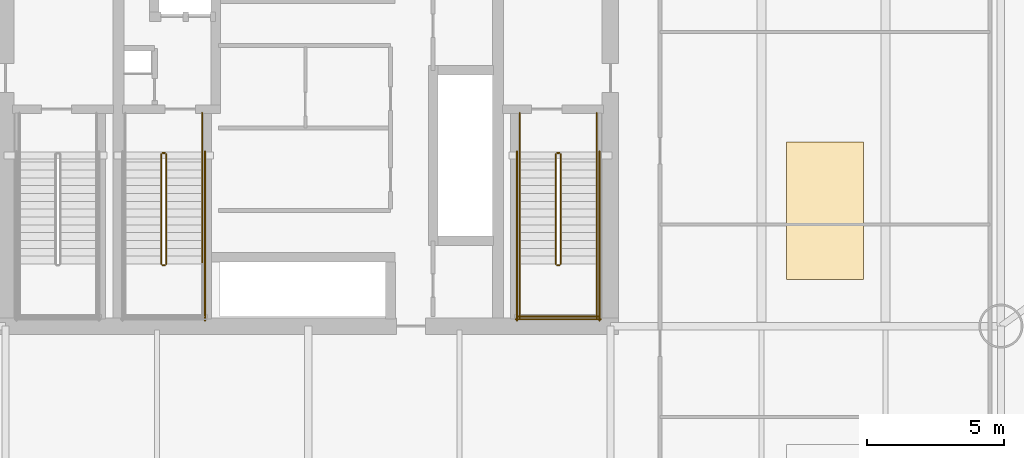
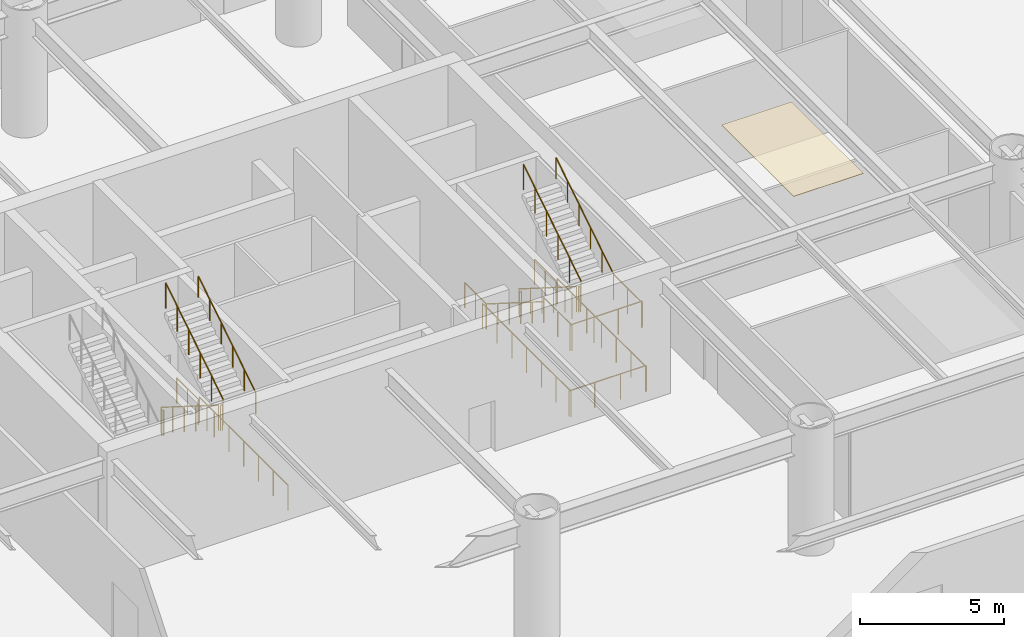
# One storey, part 13 of 16: 21 railings, 1 covering.
"""IFC4 building model written with IfcOpenShell, lengths in metres."""

from ifc_helpers import new_model, si_unit, direction, frame, origin, origin_2d, place, context, subcontext, project, spatial, polyline, circle, outline, extrude, material, layer, layer_set, type_object, element, save


model = new_model("IFC4")

# Units and contexts
model_context = context("Model", 3, precision=1e-05, world=origin(), true_north=direction((0.0, 1.0)))
body_context = subcontext(model_context, "Body", "Model", "MODEL_VIEW")
ifc_project = project(units=[si_unit("LENGTHUNIT", "METRE"), si_unit("AREAUNIT", "SQUARE_METRE"), si_unit("VOLUMEUNIT", "CUBIC_METRE"), si_unit("PLANEANGLEUNIT", "RADIAN"), si_unit("MASSUNIT", "GRAM", prefix="KILO")], contexts=[model_context])

# Site, building, storey
site_placement = place(None, origin())
site = spatial("IfcSite", under=ifc_project, at=site_placement, CompositionType="ELEMENT")
building_placement = place(site_placement, origin())
building = spatial("IfcBuilding", under=site, at=building_placement, Name="Bramvorn Convention Spire", CompositionType="ELEMENT")
storey_placement = place(building_placement, frame((0.0, 0.0, 30.0)))
storey = spatial("IfcBuildingStorey", under=building, at=storey_placement, Name="L05", CompositionType="ELEMENT", Elevation=30.0)

# Covering
ifc_material_1 = material(Name="Micro-Perforated Mineral-Fibre Acoustic Ceiling Tile", Category="gypsum")
ifc_layer = layer(ifc_material_1, 0.02001953125)
ifc_layer_set = layer_set([ifc_layer], Name="Micro-Perforated Mineral-Fibre Acoustic Ceiling Tile - CLG-ACOUSTIC-20")
covering_type = type_object("IfcCoveringType", Name="CLG-ACOUSTIC-20", PredefinedType="CEILING", material=ifc_layer_set)
covering_placement = place(storey_placement, frame((0.0, 0.0, 4.97998046875)))
element("IfcCovering", 1, at=covering_placement, inside=storey, type_object=covering_type, Name="L05 Seminar acoustic tile ceiling 2", PredefinedType="CEILING", context=body_context, shape_type="SweptSolid", body=[
    extrude(outline(polyline([(55.39990234375, 20.5), (58.199951171875, 20.5), (58.199951171875, 25.5), (55.39990234375, 25.5), (55.39990234375, 20.5)])), origin(), (0.0, 0.0, 1.0), 0.02001953125),
])

# Railings
ifc_material_2 = material(Name="Painted Steel Balustrade & Guardrail", Category="steel")
railing_type_1 = type_object("IfcRailingType", Name="RL-STAIR-GUARD-1100", PredefinedType="GUARDRAIL", material=ifc_material_2)
railing_1_placement = place(storey_placement, frame((47.010009765625, 25.050048828125, 0.179931640625)))
element("IfcRailing", 2, at=railing_1_placement, inside=storey, type_object=railing_type_1, Name="L05 ST2 stair guard 1", PredefinedType="GUARDRAIL", context=body_context, shape_type="SweptSolid", body=[
    extrude(circle(Radius=0.02392578125, at=origin_2d()), frame((0.0, 0.0, 1.076171875), z_axis=(0.0, -0.845486444383, 0.533996884227), x_axis=(1.0, 0.0, 0.0)), (0.0, 0.0, 1.0), 4.71923828125),
    extrude(circle(Radius=0.02099609375, at=origin_2d()), origin(), (0.0, 0.0, 1.0), 1.052001953125),
    extrude(circle(Radius=0.02099609375, at=origin_2d()), frame((0.0, -0.798095703125, 0.50390625)), (0.0, 0.0, 1.0), 1.052001953125),
    extrude(circle(Radius=0.02099609375, at=origin_2d()), frame((0.0, -1.595947265625, 1.008056640625)), (0.0, 0.0, 1.0), 1.052001953125),
    extrude(circle(Radius=0.02099609375, at=origin_2d()), frame((0.0, -2.39404296875, 1.511962890625)), (0.0, 0.0, 1.0), 1.052001953125),
    extrude(circle(Radius=0.02099609375, at=origin_2d()), frame((0.0, -3.19189453125, 2.01611328125)), (0.0, 0.0, 1.0), 1.052001953125),
    extrude(circle(Radius=0.02099609375, at=origin_2d()), frame((0.0, -3.989990234375, 2.52001953125)), (0.0, 0.0, 1.0), 1.052001953125),
])
railing_2_placement = place(storey_placement, frame((47.06005859375, 21.010009765625, 2.699951171875)))
element("IfcRailing", 3, at=railing_2_placement, inside=storey, type_object=railing_type_1, Name="L05 ST2 stair guard 2", PredefinedType="GUARDRAIL", context=body_context, shape_type="SweptSolid", body=[
    extrude(circle(Radius=0.02392578125, at=origin_2d()), frame((0.0, 0.0, 1.076171875), z_axis=(1.0, 0.0, 0.0), x_axis=(0.0, 1.0, 0.0)), (0.0, 0.0, 1.0), 0.079833984375),
    extrude(circle(Radius=0.02099609375, at=origin_2d()), origin(), (0.0, 0.0, 1.0), 1.052001953125),
    extrude(circle(Radius=0.02099609375, at=origin_2d()), frame((0.079833984375, 0.0, 0.0)), (0.0, 0.0, 1.0), 1.052001953125),
])
for number, where, name in (
    (4, (45.699951171875, 21.06005859375, 2.699951171875), "L05 ST2 stair guard 3"),
    (5, (48.5, 21.06005859375, 2.699951171875), "L05 ST2 stair guard 4"),
):
    element("IfcRailing", number, at=place(storey_placement, frame(where)), inside=storey, type_object=railing_type_1, Name=name, PredefinedType="GUARDRAIL", context=body_context, shape_type="SweptSolid", body=[
        extrude(circle(Radius=0.02392578125, at=origin_2d()), frame((0.0, 0.0, 1.076171875), z_axis=(0.0, -1.0, 0.0), x_axis=(1.0, 0.0, 0.0)), (0.0, 0.0, 1.0), 1.9599609375),
        extrude(circle(Radius=0.02099609375, at=origin_2d()), origin(), (0.0, 0.0, 1.0), 1.052001953125),
        extrude(circle(Radius=0.02099609375, at=origin_2d()), frame((0.0, -0.97998046875, 0.0)), (0.0, 0.0, 1.0), 1.052001953125),
        extrude(circle(Radius=0.02099609375, at=origin_2d()), frame((0.0, -1.9599609375, 0.0)), (0.0, 0.0, 1.0), 1.052001953125),
    ])
railing_3_placement = place(storey_placement, frame((45.64990234375, 19.14990234375, 2.699951171875)))
element("IfcRailing", 6, at=railing_3_placement, inside=storey, type_object=railing_type_1, Name="L05 ST2 stair guard 5", PredefinedType="GUARDRAIL", context=body_context, shape_type="SweptSolid", body=[
    extrude(circle(Radius=0.02392578125, at=origin_2d()), frame((0.0, 0.0, 1.076171875), z_axis=(1.0, 0.0, 0.0), x_axis=(0.0, 1.0, 0.0)), (0.0, 0.0, 1.0), 2.900146484375),
    extrude(circle(Radius=0.02099609375, at=origin_2d()), origin(), (0.0, 0.0, 1.0), 1.052001953125),
    extrude(circle(Radius=0.02099609375, at=origin_2d()), frame((0.966796875, 0.0, 0.0)), (0.0, 0.0, 1.0), 1.052001953125),
    extrude(circle(Radius=0.02099609375, at=origin_2d()), frame((1.933349609375, 0.0, 0.0)), (0.0, 0.0, 1.0), 1.052001953125),
    extrude(circle(Radius=0.02099609375, at=origin_2d()), frame((2.900146484375, 0.0, 0.0)), (0.0, 0.0, 1.0), 1.052001953125),
])
railing_4_placement = place(storey_placement, frame((47.18994140625, 21.06005859375, 2.8798828125)))
element("IfcRailing", 7, at=railing_4_placement, inside=storey, type_object=railing_type_1, Name="L05 ST2 stair guard 6", PredefinedType="GUARDRAIL", context=body_context, shape_type="SweptSolid", body=[
    extrude(circle(Radius=0.02392578125, at=origin_2d()), frame((0.0, 0.0, 1.076171875), z_axis=(0.0, 0.845486444383, 0.533996884227), x_axis=(-1.0, 0.0, 0.0)), (0.0, 0.0, 1.0), 4.71923828125),
    extrude(circle(Radius=0.02099609375, at=origin_2d()), origin(), (0.0, 0.0, 1.0), 1.052001953125),
    extrude(circle(Radius=0.02099609375, at=origin_2d()), frame((0.0, 0.798095703125, 0.50390625)), (0.0, 0.0, 1.0), 1.052001953125),
    extrude(circle(Radius=0.02099609375, at=origin_2d()), frame((0.0, 1.595947265625, 1.008056640625)), (0.0, 0.0, 1.0), 1.052001953125),
    extrude(circle(Radius=0.02099609375, at=origin_2d()), frame((0.0, 2.39404296875, 1.511962890625)), (0.0, 0.0, 1.0), 1.052001953125),
    extrude(circle(Radius=0.02099609375, at=origin_2d()), frame((0.0, 3.19189453125, 2.01611328125)), (0.0, 0.0, 1.0), 1.052001953125),
    extrude(circle(Radius=0.02099609375, at=origin_2d()), frame((0.0, 3.989990234375, 2.52001953125)), (0.0, 0.0, 1.0), 1.052001953125),
])
railing_5_placement = place(storey_placement, frame((47.06005859375, 25.10009765625, 0.0)))
element("IfcRailing", 8, at=railing_5_placement, inside=storey, type_object=railing_type_1, Name="L05 ST2 stair guard 7", PredefinedType="GUARDRAIL", context=body_context, shape_type="SweptSolid", body=[
    extrude(circle(Radius=0.02392578125, at=origin_2d()), frame((0.0, 0.0, 1.076171875), z_axis=(1.0, 0.0, 0.0), x_axis=(0.0, 1.0, 0.0)), (0.0, 0.0, 1.0), 0.079833984375),
    extrude(circle(Radius=0.02099609375, at=origin_2d()), origin(), (0.0, 0.0, 1.0), 1.052001953125),
    extrude(circle(Radius=0.02099609375, at=origin_2d()), frame((0.079833984375, 0.0, 0.0)), (0.0, 0.0, 1.0), 1.052001953125),
])
for number, where, name in (
    (9, (45.699951171875, 26.550048828125, 0.0), "L05 ST2 stair guard 8"),
    (10, (48.5, 26.550048828125, 0.0), "L05 ST2 stair guard 9"),
):
    element("IfcRailing", number, at=place(storey_placement, frame(where)), inside=storey, type_object=railing_type_1, Name=name, PredefinedType="GUARDRAIL", context=body_context, shape_type="SweptSolid", body=[
        extrude(circle(Radius=0.02392578125, at=origin_2d()), frame((0.0, 0.0, 1.076171875), z_axis=(0.0, -1.0, 0.0), x_axis=(1.0, 0.0, 0.0)), (0.0, 0.0, 1.0), 1.5),
        extrude(circle(Radius=0.02099609375, at=origin_2d()), origin(), (0.0, 0.0, 1.0), 1.052001953125),
        extrude(circle(Radius=0.02099609375, at=origin_2d()), frame((0.0, -0.75, 0.0)), (0.0, 0.0, 1.0), 1.052001953125),
        extrude(circle(Radius=0.02099609375, at=origin_2d()), frame((0.0, -1.5, 0.0)), (0.0, 0.0, 1.0), 1.052001953125),
    ])
for number, where, name in (
    (11, (45.60009765625, 25.14990234375, 0.0), "L05 ST2 stair guard 10"),
    (12, (48.60009765625, 25.14990234375, 0.0), "L05 ST2 stair guard 11"),
):
    element("IfcRailing", number, at=place(storey_placement, frame(where)), inside=storey, type_object=railing_type_1, Name=name, PredefinedType="GUARDRAIL", context=body_context, shape_type="SweptSolid", body=[
        extrude(circle(Radius=0.02392578125, at=origin_2d()), frame((0.0, 0.0, 1.076171875), z_axis=(0.0, -1.0, 0.0), x_axis=(1.0, 0.0, 0.0)), (0.0, 0.0, 1.0), 6.14990234375),
        extrude(circle(Radius=0.02099609375, at=origin_2d()), origin(), (0.0, 0.0, 1.0), 1.052001953125),
        extrude(circle(Radius=0.02099609375, at=origin_2d()), frame((0.0, -1.02490234375, 0.0)), (0.0, 0.0, 1.0), 1.052001953125),
        extrude(circle(Radius=0.02099609375, at=origin_2d()), frame((0.0, -2.050048828125, 0.0)), (0.0, 0.0, 1.0), 1.052001953125),
        extrude(circle(Radius=0.02099609375, at=origin_2d()), frame((0.0, -3.074951171875, 0.0)), (0.0, 0.0, 1.0), 1.052001953125),
        extrude(circle(Radius=0.02099609375, at=origin_2d()), frame((0.0, -4.099853515625, 0.0)), (0.0, 0.0, 1.0), 1.052001953125),
        extrude(circle(Radius=0.02099609375, at=origin_2d()), frame((0.0, -5.125, 0.0)), (0.0, 0.0, 1.0), 1.052001953125),
        extrude(circle(Radius=0.02099609375, at=origin_2d()), frame((0.0, -6.14990234375, 0.0)), (0.0, 0.0, 1.0), 1.052001953125),
    ])
railing_6_placement = place(storey_placement, frame((45.550048828125, 19.050048828125, 0.0)))
element("IfcRailing", 13, at=railing_6_placement, inside=storey, type_object=railing_type_1, Name="L05 ST2 stair guard 12", PredefinedType="GUARDRAIL", context=body_context, shape_type="SweptSolid", body=[
    extrude(circle(Radius=0.02392578125, at=origin_2d()), frame((0.0, 0.0, 1.076171875), z_axis=(1.0, 0.0, 0.0), x_axis=(0.0, 1.0, 0.0)), (0.0, 0.0, 1.0), 3.099853515625),
    extrude(circle(Radius=0.02099609375, at=origin_2d()), origin(), (0.0, 0.0, 1.0), 1.052001953125),
    extrude(circle(Radius=0.02099609375, at=origin_2d()), frame((1.033203125, 0.0, 0.0)), (0.0, 0.0, 1.0), 1.052001953125),
    extrude(circle(Radius=0.02099609375, at=origin_2d()), frame((2.066650390625, 0.0, 0.0)), (0.0, 0.0, 1.0), 1.052001953125),
    extrude(circle(Radius=0.02099609375, at=origin_2d()), frame((3.099853515625, 0.0, 0.0)), (0.0, 0.0, 1.0), 1.052001953125),
])
railing_7_placement = place(storey_placement, frame((32.659912109375, 25.050048828125, 0.179931640625)))
element("IfcRailing", 14, at=railing_7_placement, inside=storey, type_object=railing_type_1, Name="L05 ST3 stair guard 1", PredefinedType="GUARDRAIL", context=body_context, shape_type="SweptSolid", body=[
    extrude(circle(Radius=0.02392578125, at=origin_2d()), frame((0.0, 0.0, 1.076171875), z_axis=(0.0, -0.845486444383, 0.533996884227), x_axis=(1.0, 0.0, 0.0)), (0.0, 0.0, 1.0), 4.71923828125),
    extrude(circle(Radius=0.02099609375, at=origin_2d()), origin(), (0.0, 0.0, 1.0), 1.052001953125),
    extrude(circle(Radius=0.02099609375, at=origin_2d()), frame((0.0, -0.798095703125, 0.50390625)), (0.0, 0.0, 1.0), 1.052001953125),
    extrude(circle(Radius=0.02099609375, at=origin_2d()), frame((0.0, -1.595947265625, 1.008056640625)), (0.0, 0.0, 1.0), 1.052001953125),
    extrude(circle(Radius=0.02099609375, at=origin_2d()), frame((0.0, -2.39404296875, 1.511962890625)), (0.0, 0.0, 1.0), 1.052001953125),
    extrude(circle(Radius=0.02099609375, at=origin_2d()), frame((0.0, -3.19189453125, 2.01611328125)), (0.0, 0.0, 1.0), 1.052001953125),
    extrude(circle(Radius=0.02099609375, at=origin_2d()), frame((0.0, -3.989990234375, 2.52001953125)), (0.0, 0.0, 1.0), 1.052001953125),
])
railing_8_placement = place(storey_placement, frame((32.7099609375, 21.010009765625, 2.699951171875)))
element("IfcRailing", 15, at=railing_8_placement, inside=storey, type_object=railing_type_1, Name="L05 ST3 stair guard 2", PredefinedType="GUARDRAIL", context=body_context, shape_type="SweptSolid", body=[
    extrude(circle(Radius=0.02392578125, at=origin_2d()), frame((0.0, 0.0, 1.076171875), z_axis=(1.0, 0.0, 0.0), x_axis=(0.0, 1.0, 0.0)), (0.0, 0.0, 1.0), 0.080078125),
    extrude(circle(Radius=0.02099609375, at=origin_2d()), origin(), (0.0, 0.0, 1.0), 1.052001953125),
    extrude(circle(Radius=0.02099609375, at=origin_2d()), frame((0.080078125, 0.0, 0.0)), (0.0, 0.0, 1.0), 1.052001953125),
])
railing_9_placement = place(storey_placement, frame((32.840087890625, 21.06005859375, 2.8798828125)))
element("IfcRailing", 16, at=railing_9_placement, inside=storey, type_object=railing_type_1, Name="L05 ST3 stair guard 6", PredefinedType="GUARDRAIL", context=body_context, shape_type="SweptSolid", body=[
    extrude(circle(Radius=0.02392578125, at=origin_2d()), frame((0.0, 0.0, 1.076171875), z_axis=(0.0, 0.845486444383, 0.533996884227), x_axis=(-1.0, 0.0, 0.0)), (0.0, 0.0, 1.0), 4.71923828125),
    extrude(circle(Radius=0.02099609375, at=origin_2d()), origin(), (0.0, 0.0, 1.0), 1.052001953125),
    extrude(circle(Radius=0.02099609375, at=origin_2d()), frame((0.0, 0.798095703125, 0.50390625)), (0.0, 0.0, 1.0), 1.052001953125),
    extrude(circle(Radius=0.02099609375, at=origin_2d()), frame((0.0, 1.595947265625, 1.008056640625)), (0.0, 0.0, 1.0), 1.052001953125),
    extrude(circle(Radius=0.02099609375, at=origin_2d()), frame((0.0, 2.39404296875, 1.511962890625)), (0.0, 0.0, 1.0), 1.052001953125),
    extrude(circle(Radius=0.02099609375, at=origin_2d()), frame((0.0, 3.19189453125, 2.01611328125)), (0.0, 0.0, 1.0), 1.052001953125),
    extrude(circle(Radius=0.02099609375, at=origin_2d()), frame((0.0, 3.989990234375, 2.52001953125)), (0.0, 0.0, 1.0), 1.052001953125),
])
railing_10_placement = place(storey_placement, frame((32.7099609375, 25.10009765625, 0.0)))
element("IfcRailing", 17, at=railing_10_placement, inside=storey, type_object=railing_type_1, Name="L05 ST3 stair guard 7", PredefinedType="GUARDRAIL", context=body_context, shape_type="SweptSolid", body=[
    extrude(circle(Radius=0.02392578125, at=origin_2d()), frame((0.0, 0.0, 1.076171875), z_axis=(1.0, 0.0, 0.0), x_axis=(0.0, 1.0, 0.0)), (0.0, 0.0, 1.0), 0.080078125),
    extrude(circle(Radius=0.02099609375, at=origin_2d()), origin(), (0.0, 0.0, 1.0), 1.052001953125),
    extrude(circle(Radius=0.02099609375, at=origin_2d()), frame((0.080078125, 0.0, 0.0)), (0.0, 0.0, 1.0), 1.052001953125),
])
railing_11_placement = place(storey_placement, frame((34.14990234375, 26.550048828125, 0.0)))
element("IfcRailing", 18, at=railing_11_placement, inside=storey, type_object=railing_type_1, Name="L05 ST3 stair guard 9", PredefinedType="GUARDRAIL", context=body_context, shape_type="SweptSolid", body=[
    extrude(circle(Radius=0.02392578125, at=origin_2d()), frame((0.0, 0.0, 1.076171875), z_axis=(0.0, -1.0, 0.0), x_axis=(1.0, 0.0, 0.0)), (0.0, 0.0, 1.0), 1.5),
    extrude(circle(Radius=0.02099609375, at=origin_2d()), origin(), (0.0, 0.0, 1.0), 1.052001953125),
    extrude(circle(Radius=0.02099609375, at=origin_2d()), frame((0.0, -0.75, 0.0)), (0.0, 0.0, 1.0), 1.052001953125),
    extrude(circle(Radius=0.02099609375, at=origin_2d()), frame((0.0, -1.5, 0.0)), (0.0, 0.0, 1.0), 1.052001953125),
])
railing_12_placement = place(storey_placement, frame((34.25, 25.14990234375, 0.0)))
element("IfcRailing", 19, at=railing_12_placement, inside=storey, type_object=railing_type_1, Name="L05 ST3 stair guard 11", PredefinedType="GUARDRAIL", context=body_context, shape_type="SweptSolid", body=[
    extrude(circle(Radius=0.02392578125, at=origin_2d()), frame((0.0, 0.0, 1.076171875), z_axis=(0.0, -1.0, 0.0), x_axis=(1.0, 0.0, 0.0)), (0.0, 0.0, 1.0), 6.14990234375),
    extrude(circle(Radius=0.02099609375, at=origin_2d()), origin(), (0.0, 0.0, 1.0), 1.052001953125),
    extrude(circle(Radius=0.02099609375, at=origin_2d()), frame((0.0, -1.02490234375, 0.0)), (0.0, 0.0, 1.0), 1.052001953125),
    extrude(circle(Radius=0.02099609375, at=origin_2d()), frame((0.0, -2.050048828125, 0.0)), (0.0, 0.0, 1.0), 1.052001953125),
    extrude(circle(Radius=0.02099609375, at=origin_2d()), frame((0.0, -3.074951171875, 0.0)), (0.0, 0.0, 1.0), 1.052001953125),
    extrude(circle(Radius=0.02099609375, at=origin_2d()), frame((0.0, -4.099853515625, 0.0)), (0.0, 0.0, 1.0), 1.052001953125),
    extrude(circle(Radius=0.02099609375, at=origin_2d()), frame((0.0, -5.125, 0.0)), (0.0, 0.0, 1.0), 1.052001953125),
    extrude(circle(Radius=0.02099609375, at=origin_2d()), frame((0.0, -6.14990234375, 0.0)), (0.0, 0.0, 1.0), 1.052001953125),
])
ifc_material_3 = material(Name="Brushed Bronze Tubular Handrail", Category="aluminium")
railing_type_2 = type_object("IfcRailingType", Name="RL-STAIR-HR-920", PredefinedType="HANDRAIL", material=ifc_material_3)
railing_13_placement = place(storey_placement, frame((45.699951171875, 25.050048828125, 0.179931640625)))
element("IfcRailing", 20, at=railing_13_placement, inside=storey, type_object=railing_type_2, Name="L05 ST2 stair handrail 1", PredefinedType="HANDRAIL", context=body_context, shape_type="SweptSolid", body=[
    extrude(circle(Radius=0.02392578125, at=origin_2d()), frame((0.0, 0.0, 0.89599609375), z_axis=(0.0, -0.845486444383, 0.533996884227), x_axis=(1.0, 0.0, 0.0)), (0.0, 0.0, 1.0), 4.71923828125),
    extrude(circle(Radius=0.02099609375, at=origin_2d()), origin(), (0.0, 0.0, 1.0), 0.871826171875),
    extrude(circle(Radius=0.02099609375, at=origin_2d()), frame((0.0, -0.798095703125, 0.50390625)), (0.0, 0.0, 1.0), 0.871826171875),
    extrude(circle(Radius=0.02099609375, at=origin_2d()), frame((0.0, -1.595947265625, 1.008056640625)), (0.0, 0.0, 1.0), 0.871826171875),
    extrude(circle(Radius=0.02099609375, at=origin_2d()), frame((0.0, -2.39404296875, 1.511962890625)), (0.0, 0.0, 1.0), 0.871826171875),
    extrude(circle(Radius=0.02099609375, at=origin_2d()), frame((0.0, -3.19189453125, 2.01611328125)), (0.0, 0.0, 1.0), 0.871826171875),
    extrude(circle(Radius=0.02099609375, at=origin_2d()), frame((0.0, -3.989990234375, 2.52001953125)), (0.0, 0.0, 1.0), 0.871826171875),
])
for number, where, name in (
    (21, (48.5, 21.06005859375, 2.8798828125), "L05 ST2 stair handrail 2"),
    (22, (34.14990234375, 21.06005859375, 2.8798828125), "L05 ST3 stair handrail 2"),
):
    element("IfcRailing", number, at=place(storey_placement, frame(where)), inside=storey, type_object=railing_type_2, Name=name, PredefinedType="HANDRAIL", context=body_context, shape_type="SweptSolid", body=[
        extrude(circle(Radius=0.02392578125, at=origin_2d()), frame((0.0, 0.0, 0.89599609375), z_axis=(0.0, 0.845486444383, 0.533996884227), x_axis=(-1.0, 0.0, 0.0)), (0.0, 0.0, 1.0), 4.71923828125),
        extrude(circle(Radius=0.02099609375, at=origin_2d()), origin(), (0.0, 0.0, 1.0), 0.871826171875),
        extrude(circle(Radius=0.02099609375, at=origin_2d()), frame((0.0, 0.798095703125, 0.50390625)), (0.0, 0.0, 1.0), 0.871826171875),
        extrude(circle(Radius=0.02099609375, at=origin_2d()), frame((0.0, 1.595947265625, 1.008056640625)), (0.0, 0.0, 1.0), 0.871826171875),
        extrude(circle(Radius=0.02099609375, at=origin_2d()), frame((0.0, 2.39404296875, 1.511962890625)), (0.0, 0.0, 1.0), 0.871826171875),
        extrude(circle(Radius=0.02099609375, at=origin_2d()), frame((0.0, 3.19189453125, 2.01611328125)), (0.0, 0.0, 1.0), 0.871826171875),
        extrude(circle(Radius=0.02099609375, at=origin_2d()), frame((0.0, 3.989990234375, 2.52001953125)), (0.0, 0.0, 1.0), 0.871826171875),
    ])

save(model, "model.ifc")
